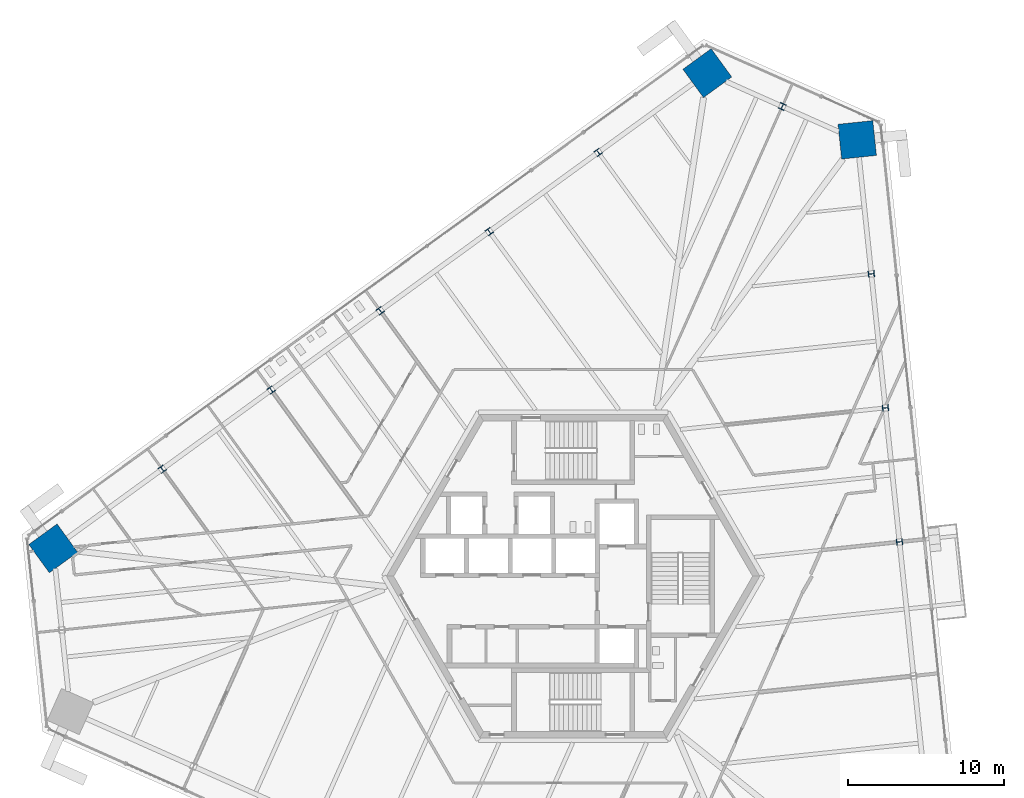
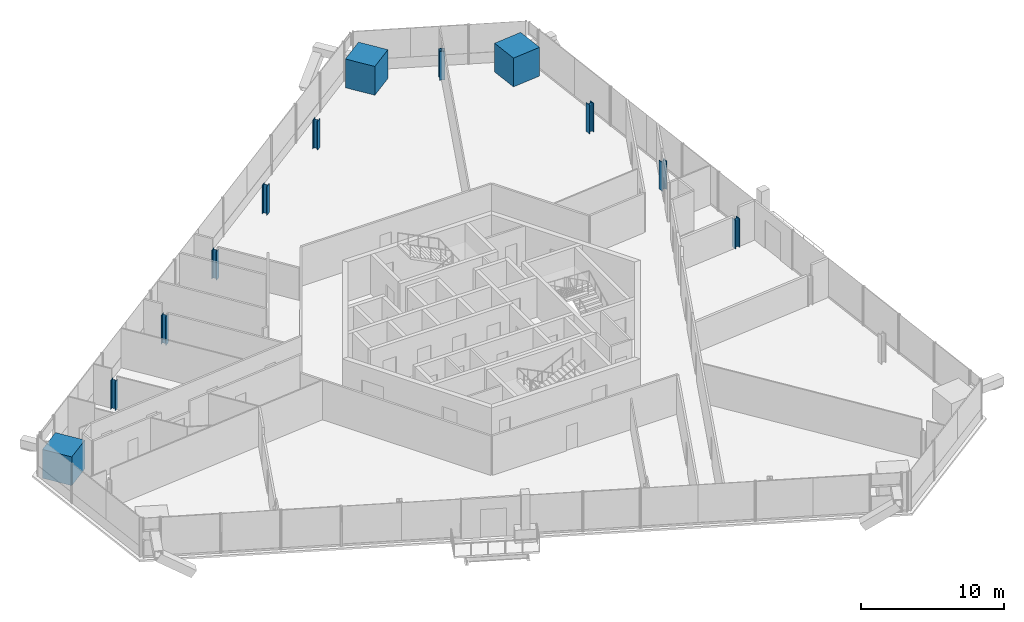
# One storey, part 2 of 25: 12 columns.
"""IFC4 building model written with IfcOpenShell, lengths in metres."""

from ifc_helpers import new_model, si_unit, direction, frame, origin, origin_2d, place, context, subcontext, project, spatial, rectangle, i_section, extrude, source, transform, mapped, material, material_profile, profile_set, type_object, element, save


model = new_model("IFC4")

# Units and contexts
model_context = context("Model", 3, precision=1e-05, world=origin(), true_north=direction((0.0, 1.0)))
body_context = subcontext(model_context, "Body", "Model", "MODEL_VIEW")
ifc_project = project(units=[si_unit("LENGTHUNIT", "METRE"), si_unit("AREAUNIT", "SQUARE_METRE"), si_unit("VOLUMEUNIT", "CUBIC_METRE"), si_unit("PLANEANGLEUNIT", "RADIAN"), si_unit("MASSUNIT", "GRAM", prefix="KILO")], contexts=[model_context])

# Site, building, storey
site_placement = place(None, origin())
site = spatial("IfcSite", under=ifc_project, at=site_placement, CompositionType="ELEMENT")
building_placement = place(site_placement, origin())
building = spatial("IfcBuilding", under=site, at=building_placement, Name="Triune Harvest Tower", CompositionType="ELEMENT")
storey_placement = place(building_placement, frame((0.0, 0.0, 90.89990234375)))
storey = spatial("IfcBuildingStorey", under=building, at=storey_placement, Name="L22", CompositionType="ELEMENT", Elevation=90.89990234375)

# Columns
ifc_material_1 = material(Name="Concrete 70 MPa", Category="concrete")
ifc_material_profile_1 = material_profile(ifc_material_1, rectangle(XDim=2.25, YDim=2.25, at=origin_2d()), Name="Composite 2250x2250")
ifc_profile_set_1 = profile_set([ifc_material_profile_1], Name="Concrete 70 MPa")
column_type_1 = type_object("IfcColumnType", Name="MC-2 Mega column Composite 2250x2250", PredefinedType="COLUMN", material=ifc_profile_set_1)
shared_shape_1 = source(origin(), body_context, "Body", "SweptSolid", [
    extrude(rectangle(XDim=2.25, YDim=2.25, at=origin_2d()), origin(), (0.0, 0.0, 1.0), 2.4501953125),
])
for number, where, z_axis, x_axis, name in (
    (1, (18.2607421875, 28.049072265625, 0.0), (0.0, 0.0, 1.0), (-0.104526727499, 0.994522077803, 0.0), "col/L22/M6"),
    (2, (8.625732421875, 32.3388671875, 0.0), (0.0, 0.0, 1.0), (-0.809016994375, -0.587785252292, 0.0), "col/L22/M8"),
    (3, (-33.42138671875, 1.789794921875, 0.0), (0.0, 0.0, 1.0), (-0.809016994375, -0.587785252292, 0.0), "col/L22/M14"),
):
    element("IfcColumn", number, at=place(storey_placement, frame(where, z_axis=z_axis, x_axis=x_axis)), inside=storey, type_object=column_type_1, Name=name, PredefinedType="COLUMN", context=body_context, shape_type="MappedRepresentation", body=[
        mapped(shared_shape_1, transform((0.0, 0.0, 0.0), scale=1.0)),
    ])
ifc_material_2 = material(Name="Steel ASTM A992 Gr 50", Category="steel")
ifc_material_profile_2 = material_profile(ifc_material_2, i_section(OverallWidth=0.398681640625, OverallDepth=0.393798828125, WebThickness=0.022705078125, FlangeThickness=0.03662109375, at=origin_2d()), Name="W14x193")
ifc_profile_set_2 = profile_set([ifc_material_profile_2], Name="Steel ASTM A992 Gr 50")
column_type_2 = type_object("IfcColumnType", Name="PC-2 Perimeter column W14x193", PredefinedType="COLUMN", material=ifc_profile_set_2)
shared_shape_2 = source(origin(), body_context, "Body", "SweptSolid", [
    extrude(i_section(OverallWidth=0.398681640625, OverallDepth=0.393798828125, WebThickness=0.022705078125, FlangeThickness=0.03662109375, at=origin_2d()), origin(), (0.0, 0.0, 1.0), 2.4501953125),
])
for number, where, z_axis, x_axis, name in (
    (4, (20.97705078125, 2.204833984375, 0.0), (0.0, 0.0, 1.0), (-0.104526727499, 0.994522077803, 0.0), "col/L22/P3"),
    (5, (20.071533203125, 10.819580078125, 0.0), (0.0, 0.0, 1.0), (-0.104526727499, 0.994522077803, 0.0), "col/L22/P4"),
    (6, (19.166015625, 19.434326171875, 0.0), (0.0, 0.0, 1.0), (-0.104526727499, 0.994522077803, 0.0), "col/L22/P5"),
    (7, (13.443115234375, 30.194091796875, 0.0), (0.0, 0.0, 1.0), (-0.913546877416, 0.406733454198, 0.0), "col/L22/P7"),
    (8, (1.617919921875, 27.247314453125, 0.0), (0.0, 0.0, 1.0), (-0.809016994375, -0.587785252292, 0.0), "col/L22/P9"),
    (9, (-5.389892578125, 22.15576171875, 0.0), (0.0, 0.0, 1.0), (-0.809016994375, -0.587785252292, 0.0), "col/L22/P10"),
    (10, (-12.39794921875, 17.064208984375, 0.0), (0.0, 0.0, 1.0), (-0.809016994375, -0.587785252292, 0.0), "col/L22/P11"),
    (11, (-19.40576171875, 11.97265625, 0.0), (0.0, 0.0, 1.0), (-0.809016994375, -0.587785252292, 0.0), "col/L22/P12"),
    (12, (-26.41357421875, 6.881103515625, 0.0), (0.0, 0.0, 1.0), (-0.809016994375, -0.587785252292, 0.0), "col/L22/P13"),
):
    element("IfcColumn", number, at=place(storey_placement, frame(where, z_axis=z_axis, x_axis=x_axis)), inside=storey, type_object=column_type_2, Name=name, PredefinedType="COLUMN", context=body_context, shape_type="MappedRepresentation", body=[
        mapped(shared_shape_2, transform((0.0, 0.0, 0.0), scale=1.0)),
    ])

save(model, "model.ifc")
